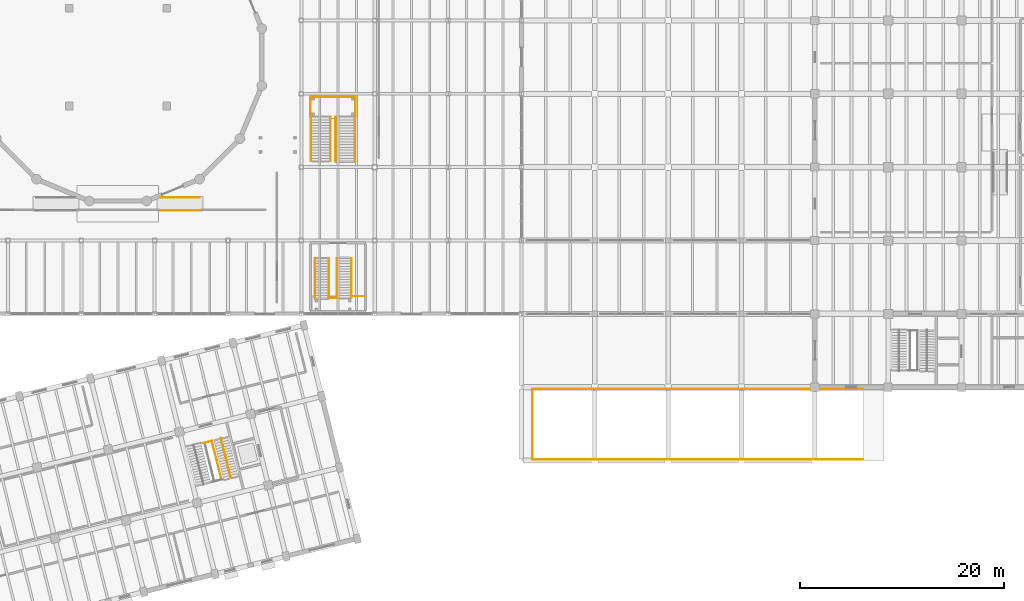
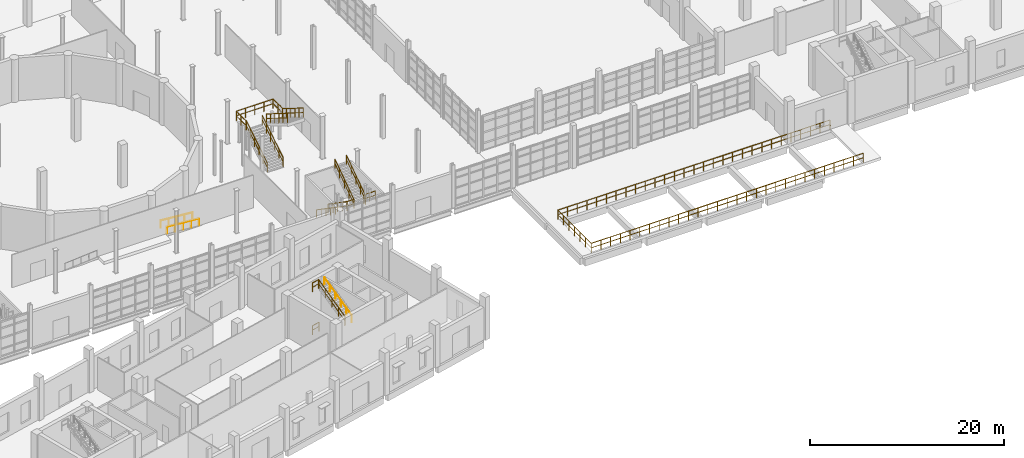
# One storey, part 76 of 79: 22 railings.
"""IFC4 building model written with IfcOpenShell, lengths in metres."""

from ifc_helpers import new_model, si_unit, direction, frame, origin, origin_2d, place, context, subcontext, project, spatial, circle, extrude, material, type_object, element, save


model = new_model("IFC4")

# Units and contexts
model_context = context("Model", 3, precision=1e-05, world=origin(), true_north=direction((0.0, 1.0)))
body_context = subcontext(model_context, "Body", "Model", "MODEL_VIEW")
ifc_project = project(units=[si_unit("LENGTHUNIT", "METRE"), si_unit("AREAUNIT", "SQUARE_METRE"), si_unit("VOLUMEUNIT", "CUBIC_METRE"), si_unit("PLANEANGLEUNIT", "RADIAN"), si_unit("MASSUNIT", "GRAM", prefix="KILO")], contexts=[model_context])

# Site, building, storey
site_placement = place(None, origin())
site = spatial("IfcSite", under=ifc_project, at=site_placement, CompositionType="ELEMENT")
building_placement = place(site_placement, origin())
building = spatial("IfcBuilding", under=site, at=building_placement, Name="Qiaolan Assembly House", CompositionType="ELEMENT")
storey_placement = place(building_placement, origin())
storey = spatial("IfcBuildingStorey", under=building, at=storey_placement, Name="L00", CompositionType="ELEMENT", Elevation=0.0)

# Railings
ifc_material = material(Name="Anodised bronze aluminium", Category="aluminium")
railing_type_1 = type_object("IfcRailingType", Name="RAL-GUARD-GALLERY-1200", PredefinedType="BALUSTRADE", material=ifc_material)
for number, where, name in (
    (1, (87.35009765625, 51.0, 0.0), "GR-02 ceremonial stair balustrade FLT-ST-H2-1-L"),
    (2, (89.25, 51.0, 0.0), "GR-02 ceremonial stair balustrade FLT-ST-H2-1-R"),
):
    element("IfcRailing", number, at=place(storey_placement, frame(where)), inside=storey, type_object=railing_type_1, Name=name, PredefinedType="BALUSTRADE", context=body_context, shape_type="SweptSolid", body=[
        extrude(circle(Radius=0.02392578125, at=origin_2d()), frame((0.0, 0.0, 1.17578125), z_axis=(0.0, 0.848006380901, 0.52998601675), x_axis=(-1.0, 0.0, 0.0)), (0.0, 0.0, 1.0), 5.094482421875),
        extrude(circle(Radius=0.01611328125, at=origin_2d()), frame((0.0, 0.0, 0.60009765625), z_axis=(0.0, 0.848006380901, 0.52998601675), x_axis=(-1.0, 0.0, 0.0)), (0.0, 0.0, 1.0), 5.094482421875),
        extrude(circle(Radius=0.02099609375, at=origin_2d()), origin(), (0.0, 0.0, 1.0), 1.15185546875),
        extrude(circle(Radius=0.02099609375, at=origin_2d()), frame((0.0, 0.864013671875, 0.5400390625)), (0.0, 0.0, 1.0), 1.15185546875),
        extrude(circle(Radius=0.02099609375, at=origin_2d()), frame((0.0, 1.72802734375, 1.080078125)), (0.0, 0.0, 1.0), 1.15185546875),
        extrude(circle(Radius=0.02099609375, at=origin_2d()), frame((0.0, 2.592041015625, 1.619873046875)), (0.0, 0.0, 1.0), 1.15185546875),
        extrude(circle(Radius=0.02099609375, at=origin_2d()), frame((0.0, 3.4560546875, 2.159912109375)), (0.0, 0.0, 1.0), 1.15185546875),
        extrude(circle(Radius=0.02099609375, at=origin_2d()), frame((0.0, 4.320068359375, 2.699951171875)), (0.0, 0.0, 1.0), 1.15185546875),
    ])
for number, where, name in (
    (3, (89.75, 55.320068359375, 2.699951171875), "GR-02 ceremonial stair balustrade FLT-ST-H2-2-L"),
    (4, (91.64990234375, 55.320068359375, 2.699951171875), "GR-02 ceremonial stair balustrade FLT-ST-H2-2-R"),
):
    element("IfcRailing", number, at=place(storey_placement, frame(where)), inside=storey, type_object=railing_type_1, Name=name, PredefinedType="BALUSTRADE", context=body_context, shape_type="SweptSolid", body=[
        extrude(circle(Radius=0.02392578125, at=origin_2d()), frame((0.0, 0.0, 1.17578125), z_axis=(0.0, -0.848006380901, 0.52998601675), x_axis=(1.0, 0.0, 0.0)), (0.0, 0.0, 1.0), 5.094482421875),
        extrude(circle(Radius=0.01611328125, at=origin_2d()), frame((0.0, 0.0, 0.60009765625), z_axis=(0.0, -0.848006380901, 0.52998601675), x_axis=(1.0, 0.0, 0.0)), (0.0, 0.0, 1.0), 5.094482421875),
        extrude(circle(Radius=0.02099609375, at=origin_2d()), origin(), (0.0, 0.0, 1.0), 1.15185546875),
        extrude(circle(Radius=0.02099609375, at=origin_2d()), frame((0.0, -0.864013671875, 0.5400390625)), (0.0, 0.0, 1.0), 1.15185546875),
        extrude(circle(Radius=0.02099609375, at=origin_2d()), frame((0.0, -1.72802734375, 1.080078125)), (0.0, 0.0, 1.0), 1.15185546875),
        extrude(circle(Radius=0.02099609375, at=origin_2d()), frame((0.0, -2.592041015625, 1.619873046875)), (0.0, 0.0, 1.0), 1.15185546875),
        extrude(circle(Radius=0.02099609375, at=origin_2d()), frame((0.0, -3.4560546875, 2.159912109375)), (0.0, 0.0, 1.0), 1.15185546875),
        extrude(circle(Radius=0.02099609375, at=origin_2d()), frame((0.0, -4.320068359375, 2.699951171875)), (0.0, 0.0, 1.0), 1.15185546875),
    ])
railing_1_placement = place(storey_placement, frame((87.300048828125, 55.320068359375, 2.699951171875)))
element("IfcRailing", 5, at=railing_1_placement, inside=storey, type_object=railing_type_1, Name="GR-02 ceremonial mid-landing guard ST-H2 seg 1", PredefinedType="BALUSTRADE", context=body_context, shape_type="SweptSolid", body=[
    extrude(circle(Radius=0.02392578125, at=origin_2d()), frame((0.0, 0.0, 1.17578125), z_axis=(0.0, 1.0, 0.0), x_axis=(-1.0, 0.0, 0.0)), (0.0, 0.0, 1.0), 1.97998046875),
    extrude(circle(Radius=0.01611328125, at=origin_2d()), frame((0.0, 0.0, 0.60009765625), z_axis=(0.0, 1.0, 0.0), x_axis=(-1.0, 0.0, 0.0)), (0.0, 0.0, 1.0), 1.97998046875),
    extrude(circle(Radius=0.02099609375, at=origin_2d()), origin(), (0.0, 0.0, 1.0), 1.15185546875),
    extrude(circle(Radius=0.02099609375, at=origin_2d()), frame((0.0, 0.989990234375, 0.0)), (0.0, 0.0, 1.0), 1.15185546875),
    extrude(circle(Radius=0.02099609375, at=origin_2d()), frame((0.0, 1.97998046875, 0.0)), (0.0, 0.0, 1.0), 1.15185546875),
])
railing_2_placement = place(storey_placement, frame((87.300048828125, 57.300048828125, 2.699951171875)))
element("IfcRailing", 6, at=railing_2_placement, inside=storey, type_object=railing_type_1, Name="GR-02 ceremonial mid-landing guard ST-H2 seg 2", PredefinedType="BALUSTRADE", context=body_context, shape_type="SweptSolid", body=[
    extrude(circle(Radius=0.02392578125, at=origin_2d()), frame((0.0, 0.0, 1.17578125), z_axis=(1.0, 0.0, 0.0), x_axis=(0.0, 1.0, 0.0)), (0.0, 0.0, 1.0), 4.39990234375),
    extrude(circle(Radius=0.01611328125, at=origin_2d()), frame((0.0, 0.0, 0.60009765625), z_axis=(1.0, 0.0, 0.0), x_axis=(0.0, 1.0, 0.0)), (0.0, 0.0, 1.0), 4.39990234375),
    extrude(circle(Radius=0.02099609375, at=origin_2d()), origin(), (0.0, 0.0, 1.0), 1.15185546875),
    extrude(circle(Radius=0.02099609375, at=origin_2d()), frame((1.10009765625, 0.0, 0.0)), (0.0, 0.0, 1.0), 1.15185546875),
    extrude(circle(Radius=0.02099609375, at=origin_2d()), frame((2.199951171875, 0.0, 0.0)), (0.0, 0.0, 1.0), 1.15185546875),
    extrude(circle(Radius=0.02099609375, at=origin_2d()), frame((3.2998046875, 0.0, 0.0)), (0.0, 0.0, 1.0), 1.15185546875),
    extrude(circle(Radius=0.02099609375, at=origin_2d()), frame((4.39990234375, 0.0, 0.0)), (0.0, 0.0, 1.0), 1.15185546875),
])
railing_3_placement = place(storey_placement, frame((91.699951171875, 57.300048828125, 2.699951171875)))
element("IfcRailing", 7, at=railing_3_placement, inside=storey, type_object=railing_type_1, Name="GR-02 ceremonial mid-landing guard ST-H2 seg 3", PredefinedType="BALUSTRADE", context=body_context, shape_type="SweptSolid", body=[
    extrude(circle(Radius=0.02392578125, at=origin_2d()), frame((0.0, 0.0, 1.17578125), z_axis=(0.0, -1.0, 0.0), x_axis=(1.0, 0.0, 0.0)), (0.0, 0.0, 1.0), 1.97998046875),
    extrude(circle(Radius=0.01611328125, at=origin_2d()), frame((0.0, 0.0, 0.60009765625), z_axis=(0.0, -1.0, 0.0), x_axis=(1.0, 0.0, 0.0)), (0.0, 0.0, 1.0), 1.97998046875),
    extrude(circle(Radius=0.02099609375, at=origin_2d()), origin(), (0.0, 0.0, 1.0), 1.15185546875),
    extrude(circle(Radius=0.02099609375, at=origin_2d()), frame((0.0, -0.989990234375, 0.0)), (0.0, 0.0, 1.0), 1.15185546875),
    extrude(circle(Radius=0.02099609375, at=origin_2d()), frame((0.0, -1.97998046875, 0.0)), (0.0, 0.0, 1.0), 1.15185546875),
])
railing_type_2 = type_object("IfcRailingType", Name="RAL-GUARD-STAIRWELL-1150", PredefinedType="GUARDRAIL", material=ifc_material)
railing_4_placement = place(storey_placement, frame((78.5703125, 19.73486328125, 2.699951171875)))
element("IfcRailing", 8, at=railing_4_placement, inside=storey, type_object=railing_type_2, Name="GR-01 stair inner-well guard FLT-CORE-D-L00-2", PredefinedType="GUARDRAIL", context=body_context, shape_type="SweptSolid", body=[
    extrude(circle(Radius=0.02392578125, at=origin_2d()), frame((0.0, 0.0, 1.1259765625), z_axis=(-0.198928469687, 0.79777264687, 0.569197916241), x_axis=(-0.970289613784, -0.241946410147, 0.0)), (0.0, 0.0, 1.0), 4.743408203125),
    extrude(circle(Radius=0.01611328125, at=origin_2d()), frame((0.0, 0.0, 0.574951171875), z_axis=(-0.198928469687, 0.79777264687, 0.569197916241), x_axis=(-0.970289613784, -0.241946410147, 0.0)), (0.0, 0.0, 1.0), 4.743408203125),
    extrude(circle(Radius=0.02099609375, at=origin_2d()), origin(), (0.0, 0.0, 1.0), 1.101806640625),
    extrude(circle(Radius=0.02099609375, at=origin_2d()), frame((-0.23583984375, 0.946044921875, 0.675048828125)), (0.0, 0.0, 1.0), 1.101806640625),
    extrude(circle(Radius=0.02099609375, at=origin_2d()), frame((-0.4716796875, 1.89208984375, 1.35009765625)), (0.0, 0.0, 1.0), 1.101806640625),
    extrude(circle(Radius=0.02099609375, at=origin_2d()), frame((-0.707763671875, 2.838134765625, 2.02490234375)), (0.0, 0.0, 1.0), 1.101806640625),
    extrude(circle(Radius=0.02099609375, at=origin_2d()), frame((-0.943603515625, 3.7841796875, 2.699951171875)), (0.0, 0.0, 1.0), 1.101806640625),
])
for number, where, name in (
    (9, (76.75341796875, 23.30126953125, 5.39990234375), "GR-01 stairwell landing guard CORE-D L00-2"),
    (10, (76.75341796875, 23.30126953125, 0.0), "GR-01 stairwell landing guard CORE-D L00-3"),
):
    element("IfcRailing", number, at=place(storey_placement, frame(where)), inside=storey, type_object=railing_type_2, Name=name, PredefinedType="GUARDRAIL", context=body_context, shape_type="SweptSolid", body=[
        extrude(circle(Radius=0.02392578125, at=origin_2d()), frame((0.0, 0.0, 1.1259765625), z_axis=(0.970282802069, 0.241973725865, 0.0), x_axis=(-0.241973725865, 0.970282802069, 0.0)), (0.0, 0.0, 1.0), 0.920166015625),
        extrude(circle(Radius=0.01611328125, at=origin_2d()), frame((0.0, 0.0, 0.574951171875), z_axis=(0.970282802069, 0.241973725865, 0.0), x_axis=(-0.241973725865, 0.970282802069, 0.0)), (0.0, 0.0, 1.0), 0.920166015625),
        extrude(circle(Radius=0.02099609375, at=origin_2d()), origin(), (0.0, 0.0, 1.0), 1.101806640625),
        extrude(circle(Radius=0.02099609375, at=origin_2d()), frame((0.892822265625, 0.22265625, 0.0)), (0.0, 0.0, 1.0), 1.101806640625),
    ])
railing_5_placement = place(storey_placement, frame((89.10009765625, 41.449951171875, 0.0)))
element("IfcRailing", 11, at=railing_5_placement, inside=storey, type_object=railing_type_2, Name="GR-01 foyer L00 open-well guard FLT-ST-F02-1-R", PredefinedType="GUARDRAIL", context=body_context, shape_type="SweptSolid", body=[
    extrude(circle(Radius=0.02392578125, at=origin_2d()), frame((0.0, 0.0, 1.1259765625), z_axis=(0.0, -0.8221903387, 0.569212655295), x_axis=(1.0, 0.0, 0.0)), (0.0, 0.0, 1.0), 4.743408203125),
    extrude(circle(Radius=0.01611328125, at=origin_2d()), frame((0.0, 0.0, 0.574951171875), z_axis=(0.0, -0.8221903387, 0.569212655295), x_axis=(1.0, 0.0, 0.0)), (0.0, 0.0, 1.0), 4.743408203125),
    extrude(circle(Radius=0.02099609375, at=origin_2d()), origin(), (0.0, 0.0, 1.0), 1.101806640625),
    extrude(circle(Radius=0.02099609375, at=origin_2d()), frame((0.0, -0.97509765625, 0.675048828125)), (0.0, 0.0, 1.0), 1.101806640625),
    extrude(circle(Radius=0.02099609375, at=origin_2d()), frame((0.0, -1.949951171875, 1.35009765625)), (0.0, 0.0, 1.0), 1.101806640625),
    extrude(circle(Radius=0.02099609375, at=origin_2d()), frame((0.0, -2.9248046875, 2.02490234375)), (0.0, 0.0, 1.0), 1.101806640625),
    extrude(circle(Radius=0.02099609375, at=origin_2d()), frame((0.0, -3.89990234375, 2.699951171875)), (0.0, 0.0, 1.0), 1.101806640625),
])
for number, where, name in (
    (12, (89.919921875, 37.550048828125, 2.699951171875), "GR-01 foyer L00 inner-well guard FLT-ST-F02-2-L"),
    (13, (91.300048828125, 37.550048828125, 2.699951171875), "GR-01 foyer L00 open-well guard FLT-ST-F02-2-R"),
):
    element("IfcRailing", number, at=place(storey_placement, frame(where)), inside=storey, type_object=railing_type_2, Name=name, PredefinedType="GUARDRAIL", context=body_context, shape_type="SweptSolid", body=[
        extrude(circle(Radius=0.02392578125, at=origin_2d()), frame((0.0, 0.0, 1.1259765625), z_axis=(0.0, 0.8221903387, 0.569212655295), x_axis=(-1.0, 0.0, 0.0)), (0.0, 0.0, 1.0), 4.743408203125),
        extrude(circle(Radius=0.01611328125, at=origin_2d()), frame((0.0, 0.0, 0.574951171875), z_axis=(0.0, 0.8221903387, 0.569212655295), x_axis=(-1.0, 0.0, 0.0)), (0.0, 0.0, 1.0), 4.743408203125),
        extrude(circle(Radius=0.02099609375, at=origin_2d()), origin(), (0.0, 0.0, 1.0), 1.101806640625),
        extrude(circle(Radius=0.02099609375, at=origin_2d()), frame((0.0, 0.97509765625, 0.675048828125)), (0.0, 0.0, 1.0), 1.101806640625),
        extrude(circle(Radius=0.02099609375, at=origin_2d()), frame((0.0, 1.949951171875, 1.35009765625)), (0.0, 0.0, 1.0), 1.101806640625),
        extrude(circle(Radius=0.02099609375, at=origin_2d()), frame((0.0, 2.9248046875, 2.02490234375)), (0.0, 0.0, 1.0), 1.101806640625),
        extrude(circle(Radius=0.02099609375, at=origin_2d()), frame((0.0, 3.89990234375, 2.699951171875)), (0.0, 0.0, 1.0), 1.101806640625),
    ])
railing_6_placement = place(storey_placement, frame((89.080078125, 37.550048828125, 2.699951171875)))
element("IfcRailing", 14, at=railing_6_placement, inside=storey, type_object=railing_type_2, Name="GR-01 foyer L00 mid-landing guard ST-F02", PredefinedType="GUARDRAIL", context=body_context, shape_type="SweptSolid", body=[
    extrude(circle(Radius=0.02392578125, at=origin_2d()), frame((0.0, 0.0, 1.1259765625), z_axis=(1.0, 0.0, 0.0), x_axis=(0.0, 1.0, 0.0)), (0.0, 0.0, 1.0), 0.83984375),
    extrude(circle(Radius=0.01611328125, at=origin_2d()), frame((0.0, 0.0, 0.574951171875), z_axis=(1.0, 0.0, 0.0), x_axis=(0.0, 1.0, 0.0)), (0.0, 0.0, 1.0), 0.83984375),
    extrude(circle(Radius=0.02099609375, at=origin_2d()), origin(), (0.0, 0.0, 1.0), 1.101806640625),
    extrude(circle(Radius=0.02099609375, at=origin_2d()), frame((0.83984375, 0.0, 0.0)), (0.0, 0.0, 1.0), 1.101806640625),
])
railing_7_placement = place(storey_placement, frame((91.260009765625, 37.72998046875, 2.699951171875)))
element("IfcRailing", 15, at=railing_7_placement, inside=storey, type_object=railing_type_2, Name="GR-01 foyer L00 east half-landing guard ST-F02", PredefinedType="GUARDRAIL", context=body_context, shape_type="SweptSolid", body=[
    extrude(circle(Radius=0.02392578125, at=origin_2d()), frame((0.0, 0.0, 1.1259765625), z_axis=(1.0, 0.0, 0.0), x_axis=(0.0, 1.0, 0.0)), (0.0, 0.0, 1.0), 1.320068359375),
    extrude(circle(Radius=0.01611328125, at=origin_2d()), frame((0.0, 0.0, 0.574951171875), z_axis=(1.0, 0.0, 0.0), x_axis=(0.0, 1.0, 0.0)), (0.0, 0.0, 1.0), 1.320068359375),
    extrude(circle(Radius=0.02099609375, at=origin_2d()), origin(), (0.0, 0.0, 1.0), 1.101806640625),
    extrude(circle(Radius=0.02099609375, at=origin_2d()), frame((0.66015625, 0.0, 0.0)), (0.0, 0.0, 1.0), 1.101806640625),
    extrude(circle(Radius=0.02099609375, at=origin_2d()), frame((1.320068359375, 0.0, 0.0)), (0.0, 0.0, 1.0), 1.101806640625),
])
railing_type_3 = type_object("IfcRailingType", Name="RAL-GUARD-TERRACE-1180", PredefinedType="GUARDRAIL", material=ifc_material)
railing_8_placement = place(storey_placement, frame((109.10009765625, 21.719970703125, 0.0)))
element("IfcRailing", 16, at=railing_8_placement, inside=storey, type_object=railing_type_3, Name="GR-03 vehicle ramp portal guardrail GRD-VRMP-S", PredefinedType="GUARDRAIL", context=body_context, shape_type="SweptSolid", body=[
    extrude(circle(Radius=0.02392578125, at=origin_2d()), frame((0.0, 0.0, 1.15576171875), z_axis=(1.0, 0.0, 0.0), x_axis=(0.0, 1.0, 0.0)), (0.0, 0.0, 1.0), 32.449951171875),
    extrude(circle(Radius=0.01611328125, at=origin_2d()), frame((0.0, 0.0, 0.58984375), z_axis=(1.0, 0.0, 0.0), x_axis=(0.0, 1.0, 0.0)), (0.0, 0.0, 1.0), 32.449951171875),
    extrude(circle(Radius=0.02099609375, at=origin_2d()), origin(), (0.0, 0.0, 1.0), 1.1318359375),
    extrude(circle(Radius=0.02099609375, at=origin_2d()), frame((1.158935546875, 0.0, 0.0)), (0.0, 0.0, 1.0), 1.1318359375),
    extrude(circle(Radius=0.02099609375, at=origin_2d()), frame((2.31787109375, 0.0, 0.0)), (0.0, 0.0, 1.0), 1.1318359375),
    extrude(circle(Radius=0.02099609375, at=origin_2d()), frame((3.476806640625, 0.0, 0.0)), (0.0, 0.0, 1.0), 1.1318359375),
    extrude(circle(Radius=0.02099609375, at=origin_2d()), frame((4.6357421875, 0.0, 0.0)), (0.0, 0.0, 1.0), 1.1318359375),
    extrude(circle(Radius=0.02099609375, at=origin_2d()), frame((5.794677734375, 0.0, 0.0)), (0.0, 0.0, 1.0), 1.1318359375),
    extrude(circle(Radius=0.02099609375, at=origin_2d()), frame((6.95361328125, 0.0, 0.0)), (0.0, 0.0, 1.0), 1.1318359375),
    extrude(circle(Radius=0.02099609375, at=origin_2d()), frame((8.112548828125, 0.0, 0.0)), (0.0, 0.0, 1.0), 1.1318359375),
    extrude(circle(Radius=0.02099609375, at=origin_2d()), frame((9.271484375, 0.0, 0.0)), (0.0, 0.0, 1.0), 1.1318359375),
    extrude(circle(Radius=0.02099609375, at=origin_2d()), frame((10.430419921875, 0.0, 0.0)), (0.0, 0.0, 1.0), 1.1318359375),
    extrude(circle(Radius=0.02099609375, at=origin_2d()), frame((11.58935546875, 0.0, 0.0)), (0.0, 0.0, 1.0), 1.1318359375),
    extrude(circle(Radius=0.02099609375, at=origin_2d()), frame((12.748291015625, 0.0, 0.0)), (0.0, 0.0, 1.0), 1.1318359375),
    extrude(circle(Radius=0.02099609375, at=origin_2d()), frame((13.9072265625, 0.0, 0.0)), (0.0, 0.0, 1.0), 1.1318359375),
    extrude(circle(Radius=0.02099609375, at=origin_2d()), frame((15.066162109375, 0.0, 0.0)), (0.0, 0.0, 1.0), 1.1318359375),
    extrude(circle(Radius=0.02099609375, at=origin_2d()), frame((16.22509765625, 0.0, 0.0)), (0.0, 0.0, 1.0), 1.1318359375),
    extrude(circle(Radius=0.02099609375, at=origin_2d()), frame((17.3837890625, 0.0, 0.0)), (0.0, 0.0, 1.0), 1.1318359375),
    extrude(circle(Radius=0.02099609375, at=origin_2d()), frame((18.542724609375, 0.0, 0.0)), (0.0, 0.0, 1.0), 1.1318359375),
    extrude(circle(Radius=0.02099609375, at=origin_2d()), frame((19.70166015625, 0.0, 0.0)), (0.0, 0.0, 1.0), 1.1318359375),
    extrude(circle(Radius=0.02099609375, at=origin_2d()), frame((20.860595703125, 0.0, 0.0)), (0.0, 0.0, 1.0), 1.1318359375),
    extrude(circle(Radius=0.02099609375, at=origin_2d()), frame((22.01953125, 0.0, 0.0)), (0.0, 0.0, 1.0), 1.1318359375),
    extrude(circle(Radius=0.02099609375, at=origin_2d()), frame((23.178466796875, 0.0, 0.0)), (0.0, 0.0, 1.0), 1.1318359375),
    extrude(circle(Radius=0.02099609375, at=origin_2d()), frame((24.33740234375, 0.0, 0.0)), (0.0, 0.0, 1.0), 1.1318359375),
    extrude(circle(Radius=0.02099609375, at=origin_2d()), frame((25.496337890625, 0.0, 0.0)), (0.0, 0.0, 1.0), 1.1318359375),
    extrude(circle(Radius=0.02099609375, at=origin_2d()), frame((26.6552734375, 0.0, 0.0)), (0.0, 0.0, 1.0), 1.1318359375),
    extrude(circle(Radius=0.02099609375, at=origin_2d()), frame((27.814208984375, 0.0, 0.0)), (0.0, 0.0, 1.0), 1.1318359375),
    extrude(circle(Radius=0.02099609375, at=origin_2d()), frame((28.97314453125, 0.0, 0.0)), (0.0, 0.0, 1.0), 1.1318359375),
    extrude(circle(Radius=0.02099609375, at=origin_2d()), frame((30.132080078125, 0.0, 0.0)), (0.0, 0.0, 1.0), 1.1318359375),
    extrude(circle(Radius=0.02099609375, at=origin_2d()), frame((31.291015625, 0.0, 0.0)), (0.0, 0.0, 1.0), 1.1318359375),
    extrude(circle(Radius=0.02099609375, at=origin_2d()), frame((32.449951171875, 0.0, 0.0)), (0.0, 0.0, 1.0), 1.1318359375),
])
railing_9_placement = place(storey_placement, frame((141.550048828125, 28.6201171875, 0.0)))
element("IfcRailing", 17, at=railing_9_placement, inside=storey, type_object=railing_type_3, Name="GR-03 vehicle ramp portal guardrail GRD-VRMP-N", PredefinedType="GUARDRAIL", context=body_context, shape_type="SweptSolid", body=[
    extrude(circle(Radius=0.02392578125, at=origin_2d()), frame((0.0, 0.0, 1.15576171875), z_axis=(-1.0, 0.0, 0.0), x_axis=(0.0, -1.0, 0.0)), (0.0, 0.0, 1.0), 32.449951171875),
    extrude(circle(Radius=0.01611328125, at=origin_2d()), frame((0.0, 0.0, 0.58984375), z_axis=(-1.0, 0.0, 0.0), x_axis=(0.0, -1.0, 0.0)), (0.0, 0.0, 1.0), 32.449951171875),
    extrude(circle(Radius=0.02099609375, at=origin_2d()), origin(), (0.0, 0.0, 1.0), 1.1318359375),
    extrude(circle(Radius=0.02099609375, at=origin_2d()), frame((-1.158935546875, 0.0, 0.0)), (0.0, 0.0, 1.0), 1.1318359375),
    extrude(circle(Radius=0.02099609375, at=origin_2d()), frame((-2.31787109375, 0.0, 0.0)), (0.0, 0.0, 1.0), 1.1318359375),
    extrude(circle(Radius=0.02099609375, at=origin_2d()), frame((-3.476806640625, 0.0, 0.0)), (0.0, 0.0, 1.0), 1.1318359375),
    extrude(circle(Radius=0.02099609375, at=origin_2d()), frame((-4.6357421875, 0.0, 0.0)), (0.0, 0.0, 1.0), 1.1318359375),
    extrude(circle(Radius=0.02099609375, at=origin_2d()), frame((-5.794677734375, 0.0, 0.0)), (0.0, 0.0, 1.0), 1.1318359375),
    extrude(circle(Radius=0.02099609375, at=origin_2d()), frame((-6.95361328125, 0.0, 0.0)), (0.0, 0.0, 1.0), 1.1318359375),
    extrude(circle(Radius=0.02099609375, at=origin_2d()), frame((-8.112548828125, 0.0, 0.0)), (0.0, 0.0, 1.0), 1.1318359375),
    extrude(circle(Radius=0.02099609375, at=origin_2d()), frame((-9.271484375, 0.0, 0.0)), (0.0, 0.0, 1.0), 1.1318359375),
    extrude(circle(Radius=0.02099609375, at=origin_2d()), frame((-10.430419921875, 0.0, 0.0)), (0.0, 0.0, 1.0), 1.1318359375),
    extrude(circle(Radius=0.02099609375, at=origin_2d()), frame((-11.58935546875, 0.0, 0.0)), (0.0, 0.0, 1.0), 1.1318359375),
    extrude(circle(Radius=0.02099609375, at=origin_2d()), frame((-12.748291015625, 0.0, 0.0)), (0.0, 0.0, 1.0), 1.1318359375),
    extrude(circle(Radius=0.02099609375, at=origin_2d()), frame((-13.9072265625, 0.0, 0.0)), (0.0, 0.0, 1.0), 1.1318359375),
    extrude(circle(Radius=0.02099609375, at=origin_2d()), frame((-15.066162109375, 0.0, 0.0)), (0.0, 0.0, 1.0), 1.1318359375),
    extrude(circle(Radius=0.02099609375, at=origin_2d()), frame((-16.22509765625, 0.0, 0.0)), (0.0, 0.0, 1.0), 1.1318359375),
    extrude(circle(Radius=0.02099609375, at=origin_2d()), frame((-17.3837890625, 0.0, 0.0)), (0.0, 0.0, 1.0), 1.1318359375),
    extrude(circle(Radius=0.02099609375, at=origin_2d()), frame((-18.542724609375, 0.0, 0.0)), (0.0, 0.0, 1.0), 1.1318359375),
    extrude(circle(Radius=0.02099609375, at=origin_2d()), frame((-19.70166015625, 0.0, 0.0)), (0.0, 0.0, 1.0), 1.1318359375),
    extrude(circle(Radius=0.02099609375, at=origin_2d()), frame((-20.860595703125, 0.0, 0.0)), (0.0, 0.0, 1.0), 1.1318359375),
    extrude(circle(Radius=0.02099609375, at=origin_2d()), frame((-22.01953125, 0.0, 0.0)), (0.0, 0.0, 1.0), 1.1318359375),
    extrude(circle(Radius=0.02099609375, at=origin_2d()), frame((-23.178466796875, 0.0, 0.0)), (0.0, 0.0, 1.0), 1.1318359375),
    extrude(circle(Radius=0.02099609375, at=origin_2d()), frame((-24.33740234375, 0.0, 0.0)), (0.0, 0.0, 1.0), 1.1318359375),
    extrude(circle(Radius=0.02099609375, at=origin_2d()), frame((-25.496337890625, 0.0, 0.0)), (0.0, 0.0, 1.0), 1.1318359375),
    extrude(circle(Radius=0.02099609375, at=origin_2d()), frame((-26.6552734375, 0.0, 0.0)), (0.0, 0.0, 1.0), 1.1318359375),
    extrude(circle(Radius=0.02099609375, at=origin_2d()), frame((-27.814208984375, 0.0, 0.0)), (0.0, 0.0, 1.0), 1.1318359375),
    extrude(circle(Radius=0.02099609375, at=origin_2d()), frame((-28.97314453125, 0.0, 0.0)), (0.0, 0.0, 1.0), 1.1318359375),
    extrude(circle(Radius=0.02099609375, at=origin_2d()), frame((-30.132080078125, 0.0, 0.0)), (0.0, 0.0, 1.0), 1.1318359375),
    extrude(circle(Radius=0.02099609375, at=origin_2d()), frame((-31.291015625, 0.0, 0.0)), (0.0, 0.0, 1.0), 1.1318359375),
    extrude(circle(Radius=0.02099609375, at=origin_2d()), frame((-32.449951171875, 0.0, 0.0)), (0.0, 0.0, 1.0), 1.1318359375),
])
railing_10_placement = place(storey_placement, frame((109.10009765625, 28.6201171875, 0.0)))
element("IfcRailing", 18, at=railing_10_placement, inside=storey, type_object=railing_type_3, Name="GR-03 vehicle ramp portal guardrail GRD-VRMP-W", PredefinedType="GUARDRAIL", context=body_context, shape_type="SweptSolid", body=[
    extrude(circle(Radius=0.02392578125, at=origin_2d()), frame((0.0, 0.0, 1.15576171875), z_axis=(0.0, -1.0, 0.0), x_axis=(1.0, 0.0, 0.0)), (0.0, 0.0, 1.0), 6.900146484375),
    extrude(circle(Radius=0.01611328125, at=origin_2d()), frame((0.0, 0.0, 0.58984375), z_axis=(0.0, -1.0, 0.0), x_axis=(1.0, 0.0, 0.0)), (0.0, 0.0, 1.0), 6.900146484375),
    extrude(circle(Radius=0.02099609375, at=origin_2d()), origin(), (0.0, 0.0, 1.0), 1.1318359375),
    extrude(circle(Radius=0.02099609375, at=origin_2d()), frame((0.0, -1.14990234375, 0.0)), (0.0, 0.0, 1.0), 1.1318359375),
    extrude(circle(Radius=0.02099609375, at=origin_2d()), frame((0.0, -2.300048828125, 0.0)), (0.0, 0.0, 1.0), 1.1318359375),
    extrude(circle(Radius=0.02099609375, at=origin_2d()), frame((0.0, -3.4501953125, 0.0)), (0.0, 0.0, 1.0), 1.1318359375),
    extrude(circle(Radius=0.02099609375, at=origin_2d()), frame((0.0, -4.60009765625, 0.0)), (0.0, 0.0, 1.0), 1.1318359375),
    extrude(circle(Radius=0.02099609375, at=origin_2d()), frame((0.0, -5.75, 0.0)), (0.0, 0.0, 1.0), 1.1318359375),
    extrude(circle(Radius=0.02099609375, at=origin_2d()), frame((0.0, -6.900146484375, 0.0)), (0.0, 0.0, 1.0), 1.1318359375),
])
railing_type_4 = type_object("IfcRailingType", Name="RAL-HANDRAIL-RAMP-900", PredefinedType="HANDRAIL", material=ifc_material)
for number, where, name in (
    (19, (76.39990234375, 46.155029296875, 0.028076171875), "HR-02 accessible dais ramp handrail RMP-ACC-P2-L"),
    (20, (76.39990234375, 47.445068359375, 0.028076171875), "HR-02 accessible dais ramp handrail RMP-ACC-P2-R"),
):
    element("IfcRailing", number, at=place(storey_placement, frame(where)), inside=storey, type_object=railing_type_4, Name=name, PredefinedType="HANDRAIL", context=body_context, shape_type="SweptSolid", body=[
        extrude(circle(Radius=0.02392578125, at=origin_2d()), frame((0.0, 0.0, 0.8759765625), z_axis=(-0.996815889441, 0.0, 0.079737585605), x_axis=(0.0, -1.0, 0.0)), (0.0, 0.0, 1.0), 3.81201171875),
        extrude(circle(Radius=0.02099609375, at=origin_2d()), origin(), (0.0, 0.0, 1.0), 0.851806640625),
        extrude(circle(Radius=0.02099609375, at=origin_2d()), frame((-0.949951171875, 0.0, 0.075927734375)), (0.0, 0.0, 1.0), 0.851806640625),
        extrude(circle(Radius=0.02099609375, at=origin_2d()), frame((-1.89990234375, 0.0, 0.15185546875)), (0.0, 0.0, 1.0), 0.851806640625),
        extrude(circle(Radius=0.02099609375, at=origin_2d()), frame((-2.849853515625, 0.0, 0.22802734375)), (0.0, 0.0, 1.0), 0.851806640625),
        extrude(circle(Radius=0.02099609375, at=origin_2d()), frame((-3.7998046875, 0.0, 0.303955078125)), (0.0, 0.0, 1.0), 0.851806640625),
    ])
railing_type_5 = type_object("IfcRailingType", Name="RAL-HANDRAIL-STAIR-920", PredefinedType="HANDRAIL", material=ifc_material)
railing_11_placement = place(storey_placement, frame((79.477294921875, 19.899169921875, 2.699951171875)))
element("IfcRailing", 21, at=railing_11_placement, inside=storey, type_object=railing_type_5, Name="HR-01 stair handrail FLT-CORE-D-L00-2", PredefinedType="HANDRAIL", context=body_context, shape_type="SweptSolid", body=[
    extrude(circle(Radius=0.02392578125, at=origin_2d()), frame((0.0, 0.0, 0.89599609375), z_axis=(-0.200805870417, 0.805492189721, 0.557547607568), x_axis=(-0.970303046203, -0.241892535083, 0.0)), (0.0, 0.0, 1.0), 4.842529296875),
    extrude(circle(Radius=0.02099609375, at=origin_2d()), origin(), (0.0, 0.0, 1.0), 0.871826171875),
    extrude(circle(Radius=0.02099609375, at=origin_2d()), frame((-0.194580078125, 0.780029296875, 0.5400390625)), (0.0, 0.0, 1.0), 0.871826171875),
    extrude(circle(Radius=0.02099609375, at=origin_2d()), frame((-0.388916015625, 1.560302734375, 1.080078125)), (0.0, 0.0, 1.0), 0.871826171875),
    extrude(circle(Radius=0.02099609375, at=origin_2d()), frame((-0.58349609375, 2.34033203125, 1.619873046875)), (0.0, 0.0, 1.0), 0.871826171875),
    extrude(circle(Radius=0.02099609375, at=origin_2d()), frame((-0.77783203125, 3.12060546875, 2.159912109375)), (0.0, 0.0, 1.0), 0.871826171875),
    extrude(circle(Radius=0.02099609375, at=origin_2d()), frame((-0.972412109375, 3.900634765625, 2.699951171875)), (0.0, 0.0, 1.0), 0.871826171875),
])
railing_12_placement = place(storey_placement, frame((87.719970703125, 41.449951171875, 0.0)))
element("IfcRailing", 22, at=railing_12_placement, inside=storey, type_object=railing_type_5, Name="HR-01 foyer L00 handrail FLT-ST-F02-1-L", PredefinedType="HANDRAIL", context=body_context, shape_type="SweptSolid", body=[
    extrude(circle(Radius=0.02392578125, at=origin_2d()), frame((0.0, 0.0, 0.89599609375), z_axis=(0.0, -0.8221903387, 0.569212655295), x_axis=(1.0, 0.0, 0.0)), (0.0, 0.0, 1.0), 4.743408203125),
    extrude(circle(Radius=0.02099609375, at=origin_2d()), origin(), (0.0, 0.0, 1.0), 0.871826171875),
    extrude(circle(Radius=0.02099609375, at=origin_2d()), frame((0.0, -0.97509765625, 0.675048828125)), (0.0, 0.0, 1.0), 0.871826171875),
    extrude(circle(Radius=0.02099609375, at=origin_2d()), frame((0.0, -1.949951171875, 1.35009765625)), (0.0, 0.0, 1.0), 0.871826171875),
    extrude(circle(Radius=0.02099609375, at=origin_2d()), frame((0.0, -2.9248046875, 2.02490234375)), (0.0, 0.0, 1.0), 0.871826171875),
    extrude(circle(Radius=0.02099609375, at=origin_2d()), frame((0.0, -3.89990234375, 2.699951171875)), (0.0, 0.0, 1.0), 0.871826171875),
])

save(model, "model.ifc")
